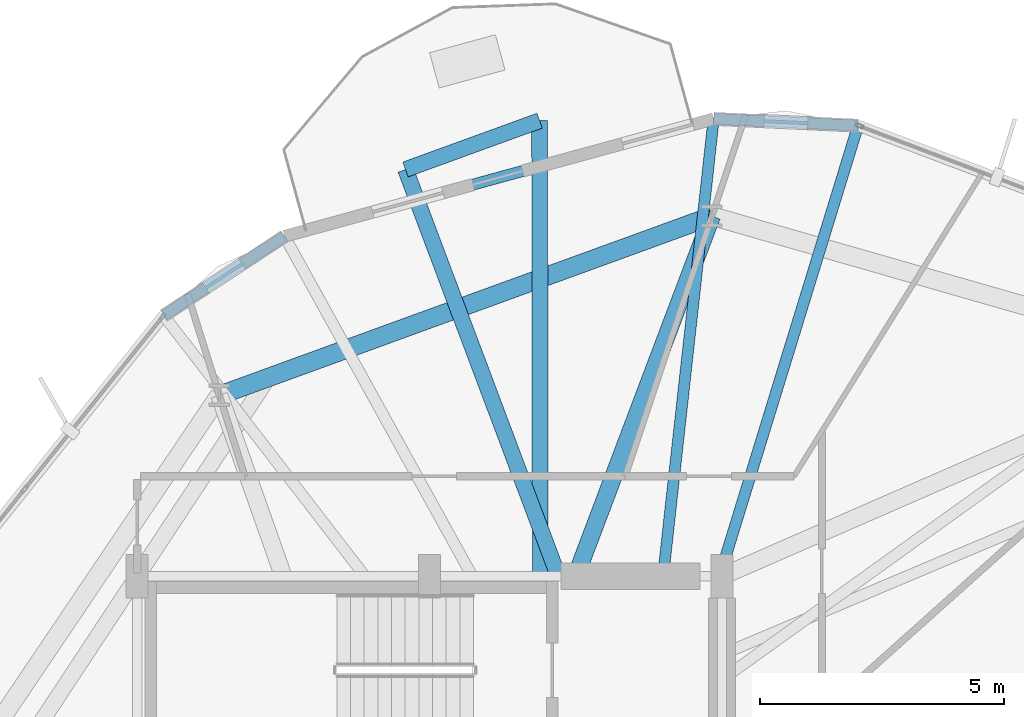
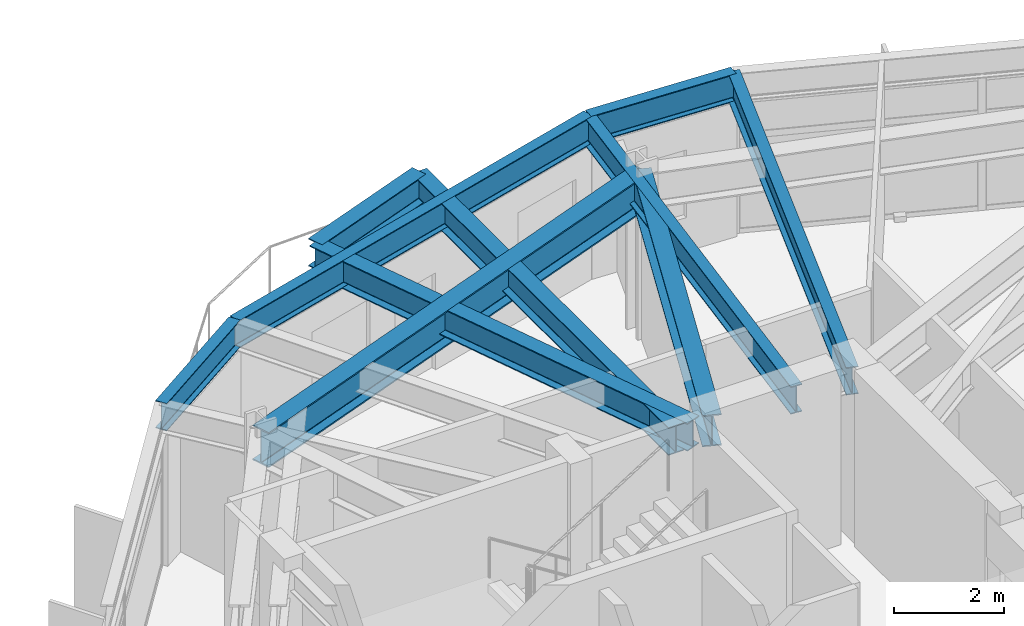
# One storey, part 16 of 25: 10 beams.
"""IFC4 building model written with IfcOpenShell, lengths in metres."""

from ifc_helpers import new_model, si_unit, direction, frame, origin, origin_2d, place, context, subcontext, project, spatial, i_section, extrude, material, material_profile, profile_set, type_object, element, save


model = new_model("IFC4")

# Units and contexts
model_context = context("Model", 3, precision=1e-05, world=origin(), true_north=direction((0.0, 1.0)))
body_context = subcontext(model_context, "Body", "Model", "MODEL_VIEW")
ifc_project = project(units=[si_unit("LENGTHUNIT", "METRE"), si_unit("AREAUNIT", "SQUARE_METRE"), si_unit("VOLUMEUNIT", "CUBIC_METRE"), si_unit("PLANEANGLEUNIT", "RADIAN"), si_unit("MASSUNIT", "GRAM", prefix="KILO")], contexts=[model_context])

# Site, building, storey
site_placement = place(None, origin())
site = spatial("IfcSite", under=ifc_project, at=site_placement, CompositionType="ELEMENT")
building_placement = place(site_placement, origin())
building = spatial("IfcBuilding", under=site, at=building_placement, Name="Soratama Intermodal Tower", CompositionType="ELEMENT")
storey_placement = place(building_placement, frame((0.0, 0.0, 87.39990234375)))
storey = spatial("IfcBuildingStorey", under=building, at=storey_placement, Name="L20", CompositionType="ELEMENT", Elevation=87.39990234375)

# Beams
ifc_material_1 = material(Name="Structural steel ASTM A992 Grade 50", Category="steel")
ifc_material_profile_1 = material_profile(ifc_material_1, i_section(OverallWidth=0.324951171875, OverallDepth=0.615966796875, WebThickness=0.013916015625, FlangeThickness=0.021484375, FilletRadius=0.013916015625, at=origin_2d()), Name="W24X117")
ifc_profile_set_1 = profile_set([ifc_material_profile_1], Name="Structural steel ASTM A992 Grade 50")
beam_type_1 = type_object("IfcBeamType", Name="BM-CANT-W24X117", PredefinedType="BEAM", material=ifc_profile_set_1)
beam_1_placement = place(storey_placement, frame((40.85791015625, 44.345947265625, 3.2919921875), z_axis=(-0.939764209582, -0.341823390639, 0.0), x_axis=(0.341823390639, -0.939764209582, 0.0)))
element("IfcBeam", 1, at=beam_1_placement, inside=storey, type_object=beam_type_1, Name="BM-L20-CBHDR-2", PredefinedType="BEAM", context=body_context, shape_type="SweptSolid", body=[
    extrude(i_section(OverallWidth=0.324951171875, OverallDepth=0.615966796875, WebThickness=0.013916015625, FlangeThickness=0.021484375, FilletRadius=0.013916015625, at=origin_2d()), origin(), (0.0, 0.0, 1.0), 2.92822265625),
])
beam_2_placement = place(storey_placement, frame((40.8720703125, 35.0400390625, 3.2919921875), z_axis=(-0.001521629007, 0.999998842322, 0.0), x_axis=(-0.999998842322, -0.001521629007, 0.0)))
element("IfcBeam", 2, at=beam_2_placement, inside=storey, type_object=beam_type_1, Name="BM-L20-CANT-2-1", PredefinedType="BEAM", context=body_context, shape_type="SweptSolid", body=[
    extrude(i_section(OverallWidth=0.324951171875, OverallDepth=0.615966796875, WebThickness=0.013916015625, FlangeThickness=0.021484375, FilletRadius=0.013916015625, at=origin_2d()), origin(), (0.0, 0.0, 1.0), 9.305908203125),
])
beam_3_placement = place(storey_placement, frame((41.22802734375, 35.037109375, 3.2919921875), z_axis=(-0.351777528458, 0.936083634336, 0.0), x_axis=(-0.936083634336, -0.351777528458, 0.0)))
element("IfcBeam", 3, at=beam_3_placement, inside=storey, type_object=beam_type_1, Name="BM-L20-CANT-2-2", PredefinedType="BEAM", context=body_context, shape_type="SweptSolid", body=[
    extrude(i_section(OverallWidth=0.324951171875, OverallDepth=0.615966796875, WebThickness=0.013916015625, FlangeThickness=0.021484375, FilletRadius=0.013916015625, at=origin_2d()), origin(), (0.0, 0.0, 1.0), 8.875244140625),
])
ifc_material_2 = material(Name="Structural steel ASTM A992 Grade 50", Category="steel")
ifc_material_profile_2 = material_profile(ifc_material_2, i_section(OverallWidth=0.35498046875, OverallDepth=0.695068359375, WebThickness=0.015380859375, FlangeThickness=0.02490234375, FilletRadius=0.01611328125, at=origin_2d()), Name="W27X146")
ifc_profile_set_2 = profile_set([ifc_material_profile_2], Name="Structural steel ASTM A992 Grade 50")
beam_type_2 = type_object("IfcBeamType", Name="BM-RING-W27X146", PredefinedType="BEAM", material=ifc_profile_set_2)
beam_4_placement = place(storey_placement, frame((41.60009765625, 35.0, 3.252685546875), z_axis=(0.353577871145, 0.935405093549, 0.0), x_axis=(-0.935405093549, 0.353577871145, 0.0)))
element("IfcBeam", 4, at=beam_4_placement, inside=storey, type_object=beam_type_2, Name="BM-L20-RAD-03", PredefinedType="BEAM", context=body_context, shape_type="SweptSolid", body=[
    extrude(i_section(OverallWidth=0.35498046875, OverallDepth=0.695068359375, WebThickness=0.015380859375, FlangeThickness=0.02490234375, FilletRadius=0.01611328125, at=origin_2d()), origin(), (0.0, 0.0, 1.0), 7.899169921875),
])
ifc_material_3 = material(Name="Structural steel ASTM A992 Grade 50", Category="steel")
ifc_material_profile_3 = material_profile(ifc_material_3, i_section(OverallWidth=0.382080078125, OverallDepth=0.779052734375, WebThickness=0.01806640625, FlangeThickness=0.030029296875, FilletRadius=0.01806640625, at=origin_2d()), Name="W30X191")
ifc_profile_set_3 = profile_set([ifc_material_profile_3], Name="Structural steel ASTM A992 Grade 50")
beam_type_3 = type_object("IfcBeamType", Name="BM-RING-W30X191", PredefinedType="BEAM", material=ifc_profile_set_3)
beam_5_placement = place(storey_placement, frame((44.39306640625, 42.388916015625, 3.210693359375), z_axis=(-0.939690636038, -0.342025596326, 0.0), x_axis=(0.342025596326, -0.939690636038, 0.0)))
element("IfcBeam", 5, at=beam_5_placement, inside=storey, type_object=beam_type_3, Name="BM-L20-RING-03", PredefinedType="BEAM", context=body_context, shape_type="SweptSolid", body=[
    extrude(i_section(OverallWidth=0.382080078125, OverallDepth=0.779052734375, WebThickness=0.01806640625, FlangeThickness=0.030029296875, FilletRadius=0.01806640625, at=origin_2d()), origin(), (0.0, 0.0, 1.0), 10.75341796875),
])
ifc_material_4 = material(Name="Structural steel ASTM A992 Grade 50", Category="steel")
ifc_material_profile_4 = material_profile(ifc_material_4, i_section(OverallWidth=0.22900390625, OverallDepth=0.612060546875, WebThickness=0.011962890625, FlangeThickness=0.01953125, FilletRadius=0.012939453125, at=origin_2d()), Name="W24X84")
ifc_profile_set_4 = profile_set([ifc_material_profile_4], Name="Structural steel ASTM A992 Grade 50")
beam_type_4 = type_object("IfcBeamType", Name="BM-SPN-W24X84", PredefinedType="SPANDREL", material=ifc_profile_set_4)
beam_6_placement = place(storey_placement, frame((47.39208984375, 44.24609375, 3.294189453125), z_axis=(-0.99890287361, 0.046830002067, 0.0), x_axis=(-0.046830002067, -0.99890287361, 0.0)))
element("IfcBeam", 6, at=beam_6_placement, inside=storey, type_object=beam_type_4, Name="BS-L20-CRN02", PredefinedType="SPANDREL", context=body_context, shape_type="SweptSolid", body=[
    extrude(i_section(OverallWidth=0.22900390625, OverallDepth=0.612060546875, WebThickness=0.011962890625, FlangeThickness=0.01953125, FilletRadius=0.012939453125, at=origin_2d()), origin(), (0.0, 0.0, 1.0), 2.96630859375),
])
beam_7_placement = place(storey_placement, frame((44.428955078125, 44.385009765625, 3.294189453125), z_axis=(-0.964559881077, -0.26386404798, 0.0), x_axis=(0.26386404798, -0.964559881077, 0.0)))
element("IfcBeam", 7, at=beam_7_placement, inside=storey, type_object=beam_type_4, Name="BS-L20-F03", PredefinedType="SPANDREL", context=body_context, shape_type="SweptSolid", body=[
    extrude(i_section(OverallWidth=0.22900390625, OverallDepth=0.612060546875, WebThickness=0.011962890625, FlangeThickness=0.01953125, FilletRadius=0.012939453125, at=origin_2d()), origin(), (0.0, 0.0, 1.0), 9.12939453125),
])
beam_8_placement = place(storey_placement, frame((35.623046875, 41.97607421875, 3.294189453125), z_axis=(-0.835842538458, -0.548969262259, 0.0), x_axis=(0.548969262259, -0.835842538458, 0.0)))
element("IfcBeam", 8, at=beam_8_placement, inside=storey, type_object=beam_type_4, Name="BS-L20-CRN03", PredefinedType="SPANDREL", context=body_context, shape_type="SweptSolid", body=[
    extrude(i_section(OverallWidth=0.22900390625, OverallDepth=0.612060546875, WebThickness=0.011962890625, FlangeThickness=0.01953125, FilletRadius=0.012939453125, at=origin_2d()), origin(), (0.0, 0.0, 1.0), 2.9658203125),
])
ifc_material_5 = material(Name="Structural steel ASTM A992 Grade 50", Category="steel")
ifc_material_profile_5 = material_profile(ifc_material_5, i_section(OverallWidth=0.22900390625, OverallDepth=0.612060546875, WebThickness=0.011962890625, FlangeThickness=0.01953125, FilletRadius=0.012939453125, at=origin_2d()), Name="W24X84")
ifc_profile_set_5 = profile_set([ifc_material_profile_5], Name="Structural steel ASTM A992 Grade 50")
beam_type_5 = type_object("IfcBeamType", Name="BM-TIE-W24X84", PredefinedType="BEAM", material=ifc_profile_set_5)
beam_9_placement = place(storey_placement, frame((44.56201171875, 35.0380859375, 3.294189453125), z_axis=(0.293786639261, 0.955871021944, 0.0), x_axis=(-0.955871021944, 0.293786639261, 0.0)))
element("IfcBeam", 9, at=beam_9_placement, inside=storey, type_object=beam_type_5, Name="BM-L20-TIE1-02", PredefinedType="BEAM", context=body_context, shape_type="SweptSolid", body=[
    extrude(i_section(OverallWidth=0.22900390625, OverallDepth=0.612060546875, WebThickness=0.011962890625, FlangeThickness=0.01953125, FilletRadius=0.012939453125, at=origin_2d()), origin(), (0.0, 0.0, 1.0), 9.633056640625),
])
beam_10_placement = place(storey_placement, frame((43.39501953125, 35.0400390625, 3.294189453125), z_axis=(0.109969810058, 0.993934927888, 0.0), x_axis=(-0.993934927888, 0.109969810058, 0.0)))
element("IfcBeam", 10, at=beam_10_placement, inside=storey, type_object=beam_type_5, Name="BM-L20-TIE0-03", PredefinedType="BEAM", context=body_context, shape_type="SweptSolid", body=[
    extrude(i_section(OverallWidth=0.22900390625, OverallDepth=0.612060546875, WebThickness=0.011962890625, FlangeThickness=0.01953125, FilletRadius=0.012939453125, at=origin_2d()), origin(), (0.0, 0.0, 1.0), 9.402099609375),
])

save(model, "model.ifc")
